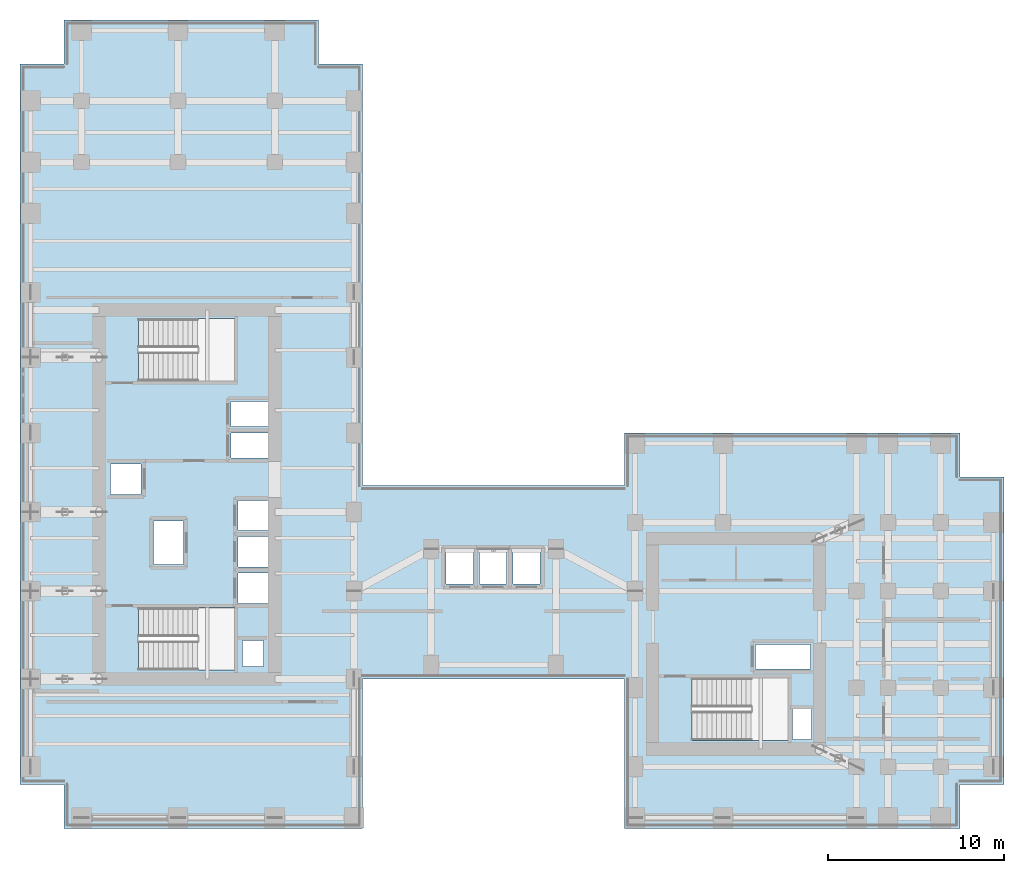
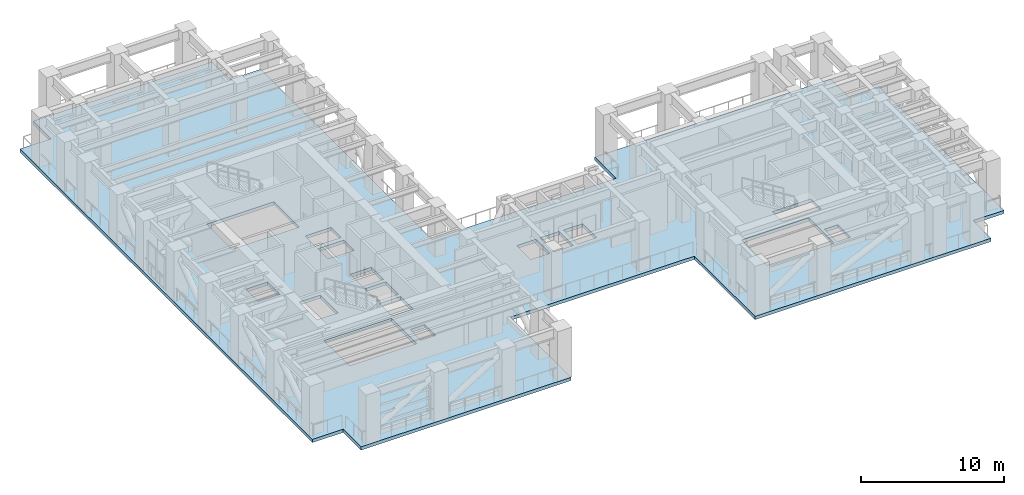
# One storey, part 8 of 16: 1 slab.
"""IFC4 building model written with IfcOpenShell, lengths in metres."""

from ifc_helpers import new_model, si_unit, direction, frame, origin, place, context, subcontext, project, spatial, polyline, outline, extrude, material, layer, layer_set, type_object, element, save


model = new_model("IFC4")

# Units and contexts
model_context = context("Model", 3, precision=1e-05, world=origin(), true_north=direction((0.0, 1.0)))
body_context = subcontext(model_context, "Body", "Model", "MODEL_VIEW")
ifc_project = project(units=[si_unit("LENGTHUNIT", "METRE"), si_unit("AREAUNIT", "SQUARE_METRE"), si_unit("VOLUMEUNIT", "CUBIC_METRE"), si_unit("PLANEANGLEUNIT", "RADIAN"), si_unit("MASSUNIT", "GRAM", prefix="KILO")], contexts=[model_context])

# Site, building, storey
site_placement = place(None, origin())
site = spatial("IfcSite", under=ifc_project, at=site_placement, CompositionType="ELEMENT")
building_placement = place(site_placement, origin())
building = spatial("IfcBuilding", under=site, at=building_placement, Name="Kharzan Plaza Tower", CompositionType="ELEMENT")
storey_placement = place(building_placement, frame((0.0, 0.0, 138.60009765625)))
storey = spatial("IfcBuildingStorey", under=building, at=storey_placement, Name="L37", CompositionType="ELEMENT", Elevation=138.60009765625)

# Slab
ifc_material = material(Name="Concrete C40/50", Category="concrete")
ifc_layer = layer(ifc_material, 0.280029296875)
ifc_layer_set = layer_set([ifc_layer], Name="Concrete C40/50")
slab_type = type_object("IfcSlabType", Name="SL-FLOOR-280", PredefinedType="FLOOR", material=ifc_layer_set)
slab_placement = place(storey_placement, frame((0.0, 0.0, -0.280029296875)))
element("IfcSlab", 1, at=slab_placement, inside=storey, type_object=slab_type, Name="L37 Composite Structural Floor Slab 280 mm", PredefinedType="FLOOR", context=body_context, shape_type="SweptSolid", body=[
    extrude(outline(polyline([(34.39990234375, 19.5), (19.5, 19.5), (19.5, 43.5), (17.0, 43.5), (17.0, 46.0), (2.5, 46.0), (2.5, 43.5), (0.0, 43.5), (0.0, 2.5), (2.5, 2.5), (2.5, 0.0), (19.5, 0.0), (19.5, 8.5), (34.39990234375, 8.5), (34.39990234375, 0.0), (53.5, 0.0), (53.5, 2.5), (56.0, 2.5), (56.0, 20.0), (53.5, 20.0), (53.5, 22.5), (34.39990234375, 22.5), (34.39990234375, 19.5)]), holes=[polyline([(12.199951171875, 9.0), (12.199951171875, 12.550048828125), (6.75, 12.550048828125), (6.75, 9.0), (12.199951171875, 9.0)]), polyline([(14.10009765625, 12.800048828125), (14.10009765625, 14.530029296875), (12.39990234375, 14.530029296875), (12.39990234375, 12.800048828125), (14.10009765625, 12.800048828125)]), polyline([(14.10009765625, 14.8701171875), (14.10009765625, 16.60009765625), (12.39990234375, 16.60009765625), (12.39990234375, 14.8701171875), (14.10009765625, 14.8701171875)]), polyline([(9.300048828125, 15.0), (9.300048828125, 17.5), (7.60009765625, 17.5), (7.60009765625, 15.0), (9.300048828125, 15.0)]), polyline([(6.89990234375, 19.010009765625), (6.89990234375, 20.72998046875), (5.14990234375, 20.72998046875), (5.14990234375, 19.010009765625), (6.89990234375, 19.010009765625)]), polyline([(14.10009765625, 21.070068359375), (14.10009765625, 22.489990234375), (12.0, 22.489990234375), (12.0, 21.070068359375), (14.10009765625, 21.070068359375)]), polyline([(14.10009765625, 22.8701171875), (14.10009765625, 24.2900390625), (12.0, 24.2900390625), (12.0, 22.8701171875), (14.10009765625, 22.8701171875)]), polyline([(12.199951171875, 25.449951171875), (12.199951171875, 29.0), (6.75, 29.0), (6.75, 25.449951171875), (12.199951171875, 25.449951171875)]), polyline([(45.050048828125, 5.050048828125), (45.050048828125, 6.800048828125), (43.949951171875, 6.800048828125), (43.949951171875, 5.050048828125), (45.050048828125, 5.050048828125)]), polyline([(43.699951171875, 5.0), (43.699951171875, 8.550048828125), (38.25, 8.550048828125), (38.25, 5.0), (43.699951171875, 5.0)]), polyline([(45.0, 9.070068359375), (45.0, 10.469970703125), (41.85009765625, 10.469970703125), (41.85009765625, 9.070068359375), (45.0, 9.070068359375)]), polyline([(13.85009765625, 9.199951171875), (13.85009765625, 10.699951171875), (12.64990234375, 10.699951171875), (12.64990234375, 9.199951171875), (13.85009765625, 9.199951171875)]), polyline([(25.800048828125, 13.89990234375), (25.800048828125, 15.85009765625), (24.25, 15.85009765625), (24.25, 13.89990234375), (25.800048828125, 13.89990234375)]), polyline([(27.699951171875, 13.89990234375), (27.699951171875, 15.85009765625), (26.14990234375, 15.85009765625), (26.14990234375, 13.89990234375), (27.699951171875, 13.89990234375)]), polyline([(29.60009765625, 13.89990234375), (29.60009765625, 15.85009765625), (28.050048828125, 15.85009765625), (28.050048828125, 13.89990234375), (29.60009765625, 13.89990234375)]), polyline([(14.10009765625, 16.93994140625), (14.10009765625, 18.64990234375), (12.39990234375, 18.64990234375), (12.39990234375, 16.93994140625), (14.10009765625, 16.93994140625)])]), origin(), (0.0, 0.0, 1.0), 0.280029296875),
])

save(model, "model.ifc")
